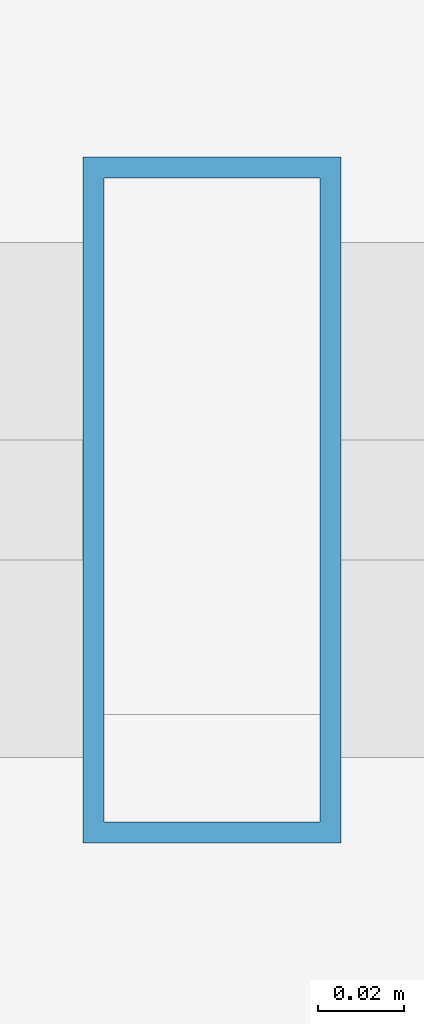
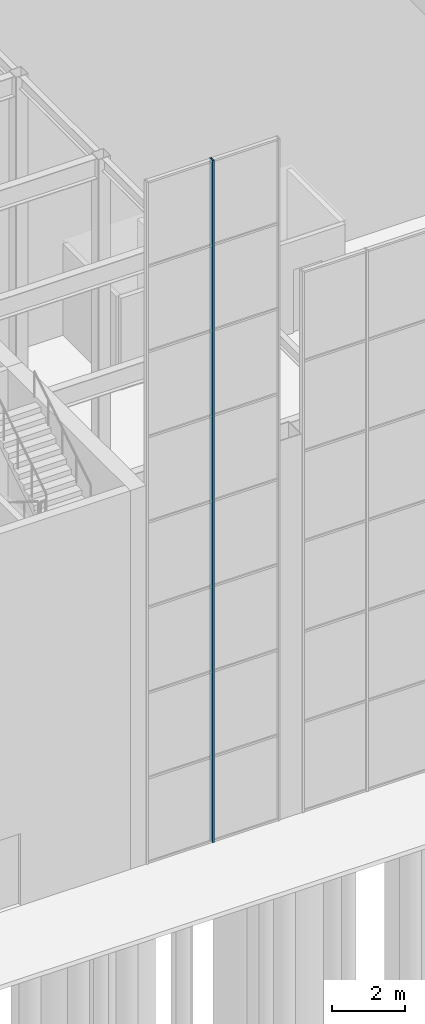
# One storey, part 11 of 58: 1 member, 1 element without a shape of its own.
"""IFC4 building model written with IfcOpenShell, lengths in metres."""

import ifcopenshell
import ifcopenshell.guid

model = None  # the IFC model being written
_history = None  # IfcOwnerHistory: only IFC2X3 demands one
_inside = {}  # id of a spatial element -> (the spatial element, [elements in it])
_under = {}  # id of a project, library or spatial element -> (it, [spatial elements below it])
_declared = {}  # id of a project -> (the project, [libraries it declares])
_typed = {}  # id of a type object -> (the type object, [elements of that type])
_made_of = {}  # id of a material, layer set ... -> (it, [elements and type objects made of it])


def new_model(schema):
    """Start an empty IFC model of exactly this schema.

    Asked for "IFC4X3", IfcOpenShell would pick the latest addendum, in which some entities
    have other attributes; the version numbers below select the first issue.
    IFC2X3 requires an IfcOwnerHistory on every rooted entity: one is made here for all.
    """
    global model, _history
    if schema == "IFC4X3":
        model = ifcopenshell.file(schema_version=(4, 3, 0, 0))
    else:
        model = ifcopenshell.file(schema=schema)
    _inside.clear()
    _under.clear()
    _declared.clear()
    _typed.clear()
    _made_of.clear()
    _history = None
    if model.schema == "IFC2X3":
        org = make("IfcOrganization", Name="unknown")
        user = make(
            "IfcPersonAndOrganization",
            ThePerson=make("IfcPerson", FamilyName="unknown"),
            TheOrganization=org,
        )
        app = make(
            "IfcApplication",
            ApplicationDeveloper=org,
            Version="unknown",
            ApplicationFullName="unknown",
            ApplicationIdentifier="unknown",
        )
        _history = make(
            "IfcOwnerHistory",
            OwningUser=user,
            OwningApplication=app,
            ChangeAction="ADDED",
            CreationDate=0,
        )
    return model


def make(cls, **values):
    """One entity of the class cls with the attributes given. An attribute that is None is left unset."""
    return model.create_entity(
        cls, **{name: value for name, value in values.items() if value is not None}
    )


def rooted(cls, **values):
    """An entity with a GlobalId (a new one), such as an element, a storey or a relation."""
    return make(cls, GlobalId=ifcopenshell.guid.new(), OwnerHistory=_history, **values)


def si_unit(unit_type, name, prefix=None):
    """IfcSIUnit, for example si_unit("LENGTHUNIT", "METRE", prefix="MILLI")."""
    return make("IfcSIUnit", UnitType=unit_type, Prefix=prefix, Name=name)


def assignment(units):
    """IfcUnitAssignment: the units of a project."""
    return None if units is None else make("IfcUnitAssignment", Units=units)


def point(xyz):
    """IfcCartesianPoint."""
    return None if xyz is None else make("IfcCartesianPoint", Coordinates=xyz)


def direction(xyz):
    """IfcDirection."""
    return None if xyz is None else make("IfcDirection", DirectionRatios=xyz)


def frame(location, z_axis=None, x_axis=None):
    """IfcAxis2Placement3D, a coordinate frame: its origin and axes. An axis left out is left unset."""
    return make(
        "IfcAxis2Placement3D",
        Location=point(location),
        Axis=direction(z_axis),
        RefDirection=direction(x_axis),
    )


def frame_2d(location, x_axis=None):
    """IfcAxis2Placement2D, a coordinate frame in the plane: its origin and x axis."""
    return make(
        "IfcAxis2Placement2D", Location=point(location), RefDirection=direction(x_axis)
    )


def origin():
    """The frame at (0, 0, 0) with its axes left unset."""
    return frame((0.0, 0.0, 0.0))


def origin_2d():
    """The frame at (0, 0) in the plane with its x axis left unset."""
    return frame_2d((0.0, 0.0))


def place(relative_to, where):
    """IfcLocalPlacement: puts the frame where relative to a parent placement (None: the world)."""
    return make(
        "IfcLocalPlacement", PlacementRelTo=relative_to, RelativePlacement=where
    )


def context(
    kind, dimensions, precision=None, world=None, true_north=None, identifier=None
):
    """IfcGeometricRepresentationContext, for example the 3D "Model" context."""
    return make(
        "IfcGeometricRepresentationContext",
        ContextIdentifier=identifier,
        ContextType=kind,
        CoordinateSpaceDimension=dimensions,
        Precision=precision,
        WorldCoordinateSystem=world,
        TrueNorth=true_north,
    )


def subcontext(parent, identifier, kind, view, scale=None):
    """IfcGeometricRepresentationSubContext, for example "Body" below "Model"."""
    return make(
        "IfcGeometricRepresentationSubContext",
        ContextIdentifier=identifier,
        ContextType=kind,
        ParentContext=parent,
        TargetScale=scale,
        TargetView=view,
    )


def project(units=None, contexts=None):
    """IfcProject with its units and contexts."""
    return rooted(
        "IfcProject",
        Name="project",
        RepresentationContexts=contexts,
        UnitsInContext=assignment(units),
    )


def spatial(cls, under=None, at=None, **own):
    """A site, building, storey or space (cls), placed at a placement, below another one or the project."""
    s = rooted(cls, ObjectPlacement=at, **own)
    if under is not None:
        _under.setdefault(under.id(), (under, []))[1].append(s)
    return s


def profile(cls, at=None, kind="AREA", **sizes):
    """A parametric profile (cls). Its sizes go by their IFC names, for example OverallWidth=200.0."""
    return make(cls, ProfileType=kind, Position=at, **sizes)


def hollow_rectangle(**sizes):
    """IfcRectangleHollowProfileDef."""
    return profile("IfcRectangleHollowProfileDef", **sizes)


def extrude(swept, where, along, depth):
    """IfcExtrudedAreaSolid: the profile swept, set in the frame where, extruded along a direction by depth."""
    return make(
        "IfcExtrudedAreaSolid",
        SweptArea=swept,
        Position=where,
        ExtrudedDirection=direction(along),
        Depth=depth,
    )


def shape(context_of_items, identifier, shape_type, items):
    """IfcShapeRepresentation: the items that make up one representation, for example the "Body"."""
    return make(
        "IfcShapeRepresentation",
        ContextOfItems=context_of_items,
        RepresentationIdentifier=identifier,
        RepresentationType=shape_type,
        Items=items,
    )


def material(Name=None, Category=None):
    """IfcMaterial."""
    return make("IfcMaterial", Name=Name, Category=Category)


def layer(
    of_material, thickness, ventilated=None, Name=None, Category=None, Priority=None
):
    """IfcMaterialLayer: one layer of a wall or slab, of a material (None: an air gap)."""
    return make(
        "IfcMaterialLayer",
        Material=of_material,
        LayerThickness=thickness,
        IsVentilated=ventilated,
        Name=Name,
        Category=Category,
        Priority=Priority,
    )


def layer_set(layers, Name=None):
    """IfcMaterialLayerSet."""
    return make("IfcMaterialLayerSet", MaterialLayers=layers, LayerSetName=Name)


def material_profile(
    of_material, cross_section, Name=None, Category=None, Priority=None
):
    """IfcMaterialProfile: a cross section and its material."""
    return make(
        "IfcMaterialProfile",
        Name=Name,
        Material=of_material,
        Profile=cross_section,
        Priority=Priority,
        Category=Category,
    )


def profile_set(profiles, Name=None, composite=None):
    """IfcMaterialProfileSet."""
    return make(
        "IfcMaterialProfileSet",
        Name=Name,
        MaterialProfiles=profiles,
        CompositeProfile=composite,
    )


def made_of(thing, what):
    """Note that an element or type object is made of a material, layer set ...; save() writes the relation."""
    if what is not None:
        _made_of.setdefault(what.id(), (what, []))[1].append(thing)
    return thing


def type_object(cls, material=None, **own):
    """A type object (cls), such as IfcWallType, which elements share."""
    return made_of(rooted(cls, **own), material)


def element(
    cls,
    number,
    at=None,
    inside=None,
    cuts=None,
    type_object=None,
    material=None,
    context=None,
    identifier="Body",
    shape_type=None,
    held_by="IfcProductDefinitionShape",
    body=None,
    shapes=None,
    **own,
):
    """One element of the class cls, such as IfcWall. Its Tag is "e" and its number.

    at: its placement. inside: the storey or other place that contains it. cuts: it is an
    opening in that element (IfcRelVoidsElement). A single representation is given by context,
    identifier, shape_type and body (its items); several are given by shapes. held_by: the class
    of the entity that holds the representations. save() writes the other relations.
    """
    e = rooted(cls, Tag="e%d" % number, ObjectPlacement=at, **own)
    if body is not None:
        shapes = [shape(context, identifier, shape_type, body)]
    if shapes is not None:
        e.Representation = make(held_by, Representations=shapes)
    if inside is not None:
        _inside.setdefault(inside.id(), (inside, []))[1].append(e)
    if cuts is not None:
        rooted(
            "IfcRelVoidsElement", RelatingBuildingElement=cuts, RelatedOpeningElement=e
        )
    if type_object is not None:
        _typed.setdefault(type_object.id(), (type_object, []))[1].append(e)
    return made_of(e, material)


def aggregate(whole, parts):
    """IfcRelAggregates: a whole, such as a stair, and the parts it consists of."""
    return rooted("IfcRelAggregates", RelatingObject=whole, RelatedObjects=parts)


def save(model, path):
    """Write the relations noted so far, then the file.

    IfcRelAggregates (storeys below a building ...), IfcRelContainedInSpatialStructure (elements
    in a storey), IfcRelDefinesByType, IfcRelAssociatesMaterial and IfcRelDeclares: one each for
    every whole, place, type object, material and project.
    """
    for whole, parts in _under.values():
        aggregate(whole, parts)
    for where, things in _inside.values():
        rooted(
            "IfcRelContainedInSpatialStructure",
            RelatedElements=things,
            RelatingStructure=where,
        )
    for kind, things in _typed.values():
        rooted("IfcRelDefinesByType", RelatedObjects=things, RelatingType=kind)
    for what, things in _made_of.values():
        rooted("IfcRelAssociatesMaterial", RelatedObjects=things, RelatingMaterial=what)
    for by, libraries in _declared.values():
        rooted("IfcRelDeclares", RelatingContext=by, RelatedDefinitions=libraries)
    model.write(path)


model = new_model("IFC4")

# Units and contexts
model_context = context("Model", 3, precision=1e-05, world=origin(), true_north=direction((0.0, 1.0)))
body_context = subcontext(model_context, "Body", "Model", "MODEL_VIEW")
ifc_project = project(units=[si_unit("LENGTHUNIT", "METRE"), si_unit("AREAUNIT", "SQUARE_METRE"), si_unit("VOLUMEUNIT", "CUBIC_METRE"), si_unit("PLANEANGLEUNIT", "RADIAN"), si_unit("MASSUNIT", "GRAM", prefix="KILO")], contexts=[model_context])

# Site, building, storey
site_placement = place(None, origin())
site = spatial("IfcSite", under=ifc_project, at=site_placement, CompositionType="ELEMENT")
building_placement = place(site_placement, origin())
building = spatial("IfcBuilding", under=site, at=building_placement, Name="Baori Bourse Tower", CompositionType="ELEMENT")
storey_placement = place(building_placement, origin())
storey = spatial("IfcBuildingStorey", under=building, at=storey_placement, Name="L00", CompositionType="ELEMENT", Elevation=0.0)

# Curtain wall, member
ifc_material_1 = material(Name="Pale anodised aluminium", Category="aluminium")
ifc_layer = layer(ifc_material_1, 0.10009765625)
ifc_layer_set = layer_set([ifc_layer], Name="Wing curtain wall")
curtain_wall_type = type_object("IfcCurtainWallType", Name="Wing curtain wall", PredefinedType="NOTDEFINED", material=ifc_layer_set)
curtain_wall_placement = place(storey_placement, origin())
curtain_wall = element("IfcCurtainWall", 1, at=curtain_wall_placement, inside=storey, type_object=curtain_wall_type, Name="wing/L00/hallcw/001", PredefinedType="NOTDEFINED")
ifc_material_2 = material(Name="Pale anodised aluminium", Category="aluminium")
ifc_material_profile = material_profile(ifc_material_2, hollow_rectangle(XDim=0.159912109375, YDim=0.06005859375, WallThickness=0.0048828125, at=origin_2d()), Name="Mullion 160x60x5")
ifc_profile_set = profile_set([ifc_material_profile], Name="Pale anodised aluminium")
member_type = type_object("IfcMemberType", Name="Wing mullion 60x160", PredefinedType="MULLION", material=ifc_profile_set)
member_placement = place(storey_placement, frame((2.35009765625, -25.14990234375, 0.0), z_axis=(0.0, 0.0, 1.0), x_axis=(0.0, 1.0, 0.0)))
member = element("IfcMember", 2, at=member_placement, type_object=member_type, Name="X12 mullion 2", PredefinedType="MULLION", context=body_context, shape_type="SweptSolid", body=[
    extrude(hollow_rectangle(XDim=0.159912109375, YDim=0.06005859375, WallThickness=0.0048828125, at=origin_2d()), origin(), (0.0, 0.0, 1.0), 22.699951171875),
])
aggregate(curtain_wall, [member])

save(model, "model.ifc")
